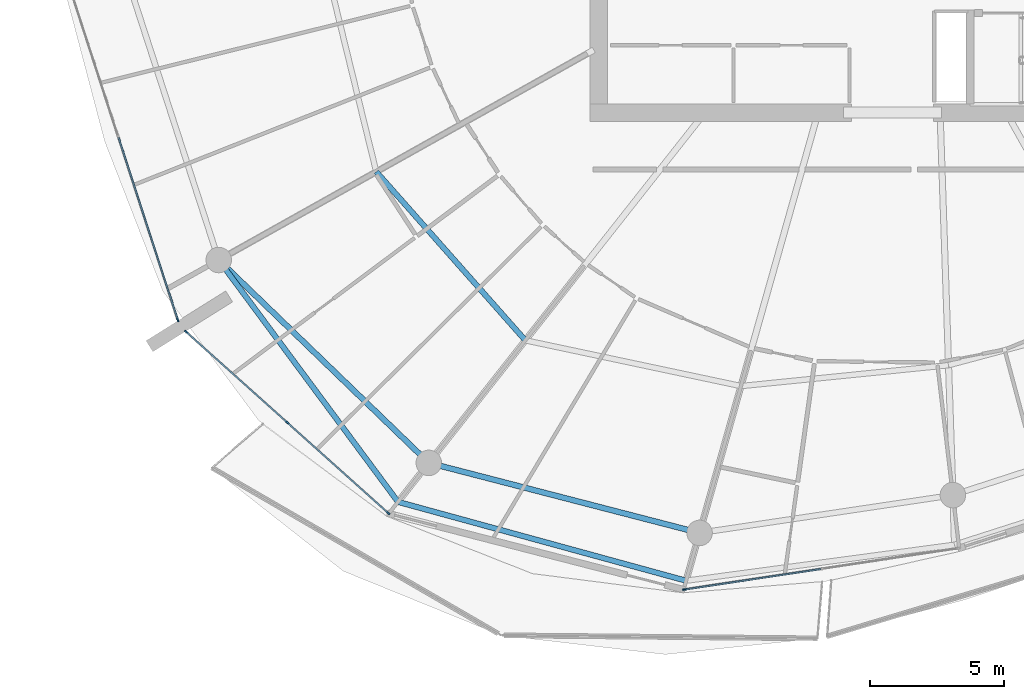
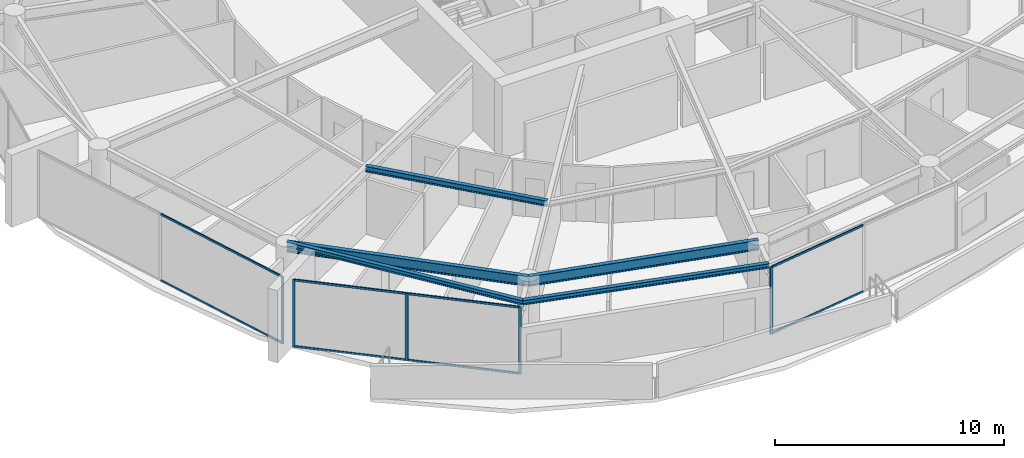
# One storey, part 6 of 30: 13 members, 5 beams, 3 elements without a shape of their own.
"""IFC4 building model written with IfcOpenShell, lengths in metres."""

from ifc_helpers import new_model, si_unit, direction, frame, origin, origin_2d, place, context, subcontext, project, spatial, rectangle, i_section, extrude, material, layer, layer_set, material_profile, profile_set, type_object, element, aggregate, save


model = new_model("IFC4")

# Units and contexts
model_context = context("Model", 3, precision=1e-05, world=origin(), true_north=direction((0.0, 1.0)))
body_context = subcontext(model_context, "Body", "Model", "MODEL_VIEW")
ifc_project = project(units=[si_unit("LENGTHUNIT", "METRE"), si_unit("AREAUNIT", "SQUARE_METRE"), si_unit("VOLUMEUNIT", "CUBIC_METRE"), si_unit("PLANEANGLEUNIT", "RADIAN"), si_unit("MASSUNIT", "GRAM", prefix="KILO")], contexts=[model_context])

# Site, building, storey
site_placement = place(None, origin())
site = spatial("IfcSite", under=ifc_project, at=site_placement, CompositionType="ELEMENT")
building_placement = place(site_placement, origin())
building = spatial("IfcBuilding", under=site, at=building_placement, Name="Kazma Halo Residences", CompositionType="ELEMENT")
storey_placement = place(building_placement, frame((0.0, 0.0, 244.39990234375)))
storey = spatial("IfcBuildingStorey", under=building, at=storey_placement, Name="L61", CompositionType="ELEMENT", Elevation=244.39990234375)

# Beams
ifc_material_1 = material(Name="Steel S355", Category="steel")
ifc_material_profile_1 = material_profile(ifc_material_1, i_section(OverallWidth=0.201904296875, OverallDepth=0.2470703125, WebThickness=0.00732421875, FlangeThickness=0.010986328125, FilletRadius=0.011962890625, at=origin_2d()), Name="W250x49.1")
ifc_profile_set_1 = profile_set([ifc_material_profile_1], Name="Steel S355")
beam_type_1 = type_object("IfcBeamType", Name="BM-BAL-CANT", PredefinedType="BEAM", material=ifc_profile_set_1)
beam_1_placement = place(storey_placement, frame((23.32958984375, 28.18408203125, 3.466552734375), z_axis=(0.595556062515, -0.803313747176, 0.0), x_axis=(0.803313747176, 0.595556062515, 0.0)))
element("IfcBeam", 1, at=beam_1_placement, inside=storey, type_object=beam_type_1, Name="L61 wave-balcony lead tie beam 09", PredefinedType="BEAM", context=body_context, shape_type="SweptSolid", body=[
    extrude(i_section(OverallWidth=0.201904296875, OverallDepth=0.2470703125, WebThickness=0.00732421875, FlangeThickness=0.010986328125, FilletRadius=0.011962890625, at=origin_2d()), origin(), (0.0, 0.0, 1.0), 11.213134765625),
])
beam_2_placement = place(storey_placement, frame((30.007568359375, 19.176513671875, 3.466552734375), z_axis=(0.964514665976, -0.264029277006, 0.0), x_axis=(0.264029277006, 0.964514665976, 0.0)))
element("IfcBeam", 2, at=beam_2_placement, inside=storey, type_object=beam_type_1, Name="L61 wave-balcony tie beam 10", PredefinedType="BEAM", context=body_context, shape_type="SweptSolid", body=[
    extrude(i_section(OverallWidth=0.201904296875, OverallDepth=0.2470703125, WebThickness=0.00732421875, FlangeThickness=0.010986328125, FilletRadius=0.011962890625, at=origin_2d()), origin(), (0.0, 0.0, 1.0), 11.1220703125),
])
ifc_material_profile_2 = material_profile(ifc_material_1, i_section(OverallWidth=0.202880859375, OverallDepth=0.302978515625, WebThickness=0.007568359375, FlangeThickness=0.01318359375, FilletRadius=0.013916015625, at=origin_2d()), Name="W310x60")
ifc_profile_set_2 = profile_set([ifc_material_profile_2], Name="Steel S355")
beam_type_2 = type_object("IfcBeamType", Name="BM-SEC-W310A", PredefinedType="JOIST", material=ifc_profile_set_2)
beam_3_placement = place(storey_placement, frame((29.197265625, 31.469970703125, 3.4384765625), z_axis=(0.662539311942, -0.749027142453, 0.0), x_axis=(0.749027142453, 0.662539311942, 0.0)))
element("IfcBeam", 3, at=beam_3_placement, inside=storey, type_object=beam_type_2, Name="L61 circumferential floor joist 09", PredefinedType="JOIST", context=body_context, shape_type="SweptSolid", body=[
    extrude(i_section(OverallWidth=0.202880859375, OverallDepth=0.302978515625, WebThickness=0.007568359375, FlangeThickness=0.01318359375, FilletRadius=0.013916015625, at=origin_2d()), origin(), (0.0, 0.0, 1.0), 8.381103515625),
])
ifc_material_profile_3 = material_profile(ifc_material_1, i_section(OverallWidth=0.208984375, OverallDepth=0.532958984375, WebThickness=0.01025390625, FlangeThickness=0.015625, FilletRadius=0.01611328125, at=origin_2d()), Name="W530x92")
ifc_profile_set_3 = profile_set([ifc_material_profile_3], Name="Steel S355")
beam_type_3 = type_object("IfcBeamType", Name="BM-SPN-W530", PredefinedType="BEAM", material=ifc_profile_set_3)
beam_4_placement = place(storey_placement, frame((23.32958984375, 28.18408203125, 3.323486328125), z_axis=(0.719345757929, -0.694652201141, 0.0), x_axis=(0.694652201141, 0.719345757929, 0.0)))
element("IfcBeam", 4, at=beam_4_placement, inside=storey, type_object=beam_type_3, Name="L61 perimeter ring beam 09", PredefinedType="BEAM", context=body_context, shape_type="SweptSolid", body=[
    extrude(i_section(OverallWidth=0.208984375, OverallDepth=0.532958984375, WebThickness=0.01025390625, FlangeThickness=0.015625, FilletRadius=0.01611328125, at=origin_2d()), origin(), (0.0, 0.0, 1.0), 10.87548828125),
])
beam_5_placement = place(storey_placement, frame((31.15283203125, 20.62939453125, 3.323486328125), z_axis=(0.968126042852, -0.250463500639, 0.0), x_axis=(0.250463500639, 0.968126042852, 0.0)))
element("IfcBeam", 5, at=beam_5_placement, inside=storey, type_object=beam_type_3, Name="L61 perimeter ring beam 10", PredefinedType="BEAM", context=body_context, shape_type="SweptSolid", body=[
    extrude(i_section(OverallWidth=0.208984375, OverallDepth=0.532958984375, WebThickness=0.01025390625, FlangeThickness=0.015625, FilletRadius=0.01611328125, at=origin_2d()), origin(), (0.0, 0.0, 1.0), 10.416259765625),
])

# Curtain wall, member
ifc_material_2 = material(Name="Aluminium AW-6063 T6 and Triple-Silver Low-E Glass", Category="aluminium")
ifc_layer = layer(ifc_material_2, 0.139892578125)
ifc_layer_set = layer_set([ifc_layer], Name="Aluminium AW-6063 T6 and Triple-Silver Low-E Glass")
curtain_wall_type = type_object("IfcCurtainWallType", Name="CW-SYS-5", PredefinedType="NOTDEFINED", material=ifc_layer_set)
curtain_wall_1_placement = place(storey_placement, origin())
curtain_wall_1 = element("IfcCurtainWall", 6, at=curtain_wall_1_placement, inside=storey, type_object=curtain_wall_type, Name="L61 unitised curtain wall B08", PredefinedType="NOTDEFINED")
ifc_material_3 = material(Name="Aluminium AW-6063 T6", Category="aluminium")
ifc_material_profile_4 = material_profile(ifc_material_3, rectangle(XDim=0.06005859375, YDim=0.139892578125, at=origin_2d()), Name="CWM-60x140")
ifc_profile_set_4 = profile_set([ifc_material_profile_4], Name="Aluminium AW-6063 T6")
member_type_1 = type_object("IfcMemberType", Name="CW-SYS-5-MUL", PredefinedType="MULLION", material=ifc_profile_set_4)
member_1_placement = place(storey_placement, frame((21.8076171875, 25.9521484375, 0.0), z_axis=(0.0, 0.0, 1.0), x_axis=(0.951058464359, 0.309010998786, 0.0)))
member_1 = element("IfcMember", 7, at=member_1_placement, type_object=member_type_1, Name="CWS-5 mullion 3", PredefinedType="MULLION", context=body_context, shape_type="SweptSolid", body=[
    extrude(rectangle(XDim=0.06005859375, YDim=0.139892578125, at=origin_2d()), origin(), (0.0, 0.0, 1.0), 3.590087890625),
])

# Curtain wall, members
curtain_wall_2_placement = place(storey_placement, origin())
curtain_wall_2 = element("IfcCurtainWall", 8, at=curtain_wall_2_placement, inside=storey, type_object=curtain_wall_type, Name="L61 unitised curtain wall B09", PredefinedType="NOTDEFINED")
member_2_placement = place(storey_placement, frame((22.11669921875, 25.508056640625, 0.0), z_axis=(0.0, 0.0, 1.0), x_axis=(0.667804826958, 0.744336424671, 0.0)))
member_2 = element("IfcMember", 9, at=member_2_placement, type_object=member_type_1, Name="CWS-5 mullion 1", PredefinedType="MULLION", context=body_context, shape_type="SweptSolid", body=[
    extrude(rectangle(XDim=0.06005859375, YDim=0.139892578125, at=origin_2d()), origin(), (0.0, 0.0, 1.0), 3.590087890625),
])
member_3_placement = place(storey_placement, frame((25.878173828125, 22.13330078125, 0.0), z_axis=(0.0, 0.0, 1.0), x_axis=(0.667804826958, 0.744336424671, 0.0)))
member_3 = element("IfcMember", 10, at=member_3_placement, type_object=member_type_1, Name="CWS-5 mullion 2", PredefinedType="MULLION", context=body_context, shape_type="SweptSolid", body=[
    extrude(rectangle(XDim=0.06005859375, YDim=0.139892578125, at=origin_2d()), origin(), (0.0, 0.0, 1.0), 3.590087890625),
])
member_4_placement = place(storey_placement, frame((29.6396484375, 18.758544921875, 0.0), z_axis=(0.0, 0.0, 1.0), x_axis=(0.667804826958, 0.744336424671, 0.0)))
member_4 = element("IfcMember", 11, at=member_4_placement, type_object=member_type_1, Name="CWS-5 mullion 3", PredefinedType="MULLION", context=body_context, shape_type="SweptSolid", body=[
    extrude(rectangle(XDim=0.06005859375, YDim=0.139892578125, at=origin_2d()), origin(), (0.0, 0.0, 1.0), 3.590087890625),
])

# Curtain wall, member
curtain_wall_3_placement = place(storey_placement, origin())
curtain_wall_3 = element("IfcCurtainWall", 12, at=curtain_wall_3_placement, inside=storey, type_object=curtain_wall_type, Name="L61 unitised curtain wall B11", PredefinedType="NOTDEFINED")
member_5_placement = place(storey_placement, frame((40.671142578125, 15.912841796875, 0.0), z_axis=(0.0, 0.0, 1.0), x_axis=(-0.148697080374, 0.988882792998, 0.0)))
member_5 = element("IfcMember", 13, at=member_5_placement, type_object=member_type_1, Name="CWS-5 mullion 1", PredefinedType="MULLION", context=body_context, shape_type="SweptSolid", body=[
    extrude(rectangle(XDim=0.06005859375, YDim=0.139892578125, at=origin_2d()), origin(), (0.0, 0.0, 1.0), 3.590087890625),
])

# Member
ifc_material_profile_5 = material_profile(ifc_material_3, rectangle(XDim=0.06005859375, YDim=0.10498046875, at=origin_2d()), Name="CWT-60x105")
ifc_profile_set_5 = profile_set([ifc_material_profile_5], Name="Aluminium AW-6063 T6")
member_type_2 = type_object("IfcMemberType", Name="CW-SYS-5-TRN", PredefinedType="USERDEFINED", material=ifc_profile_set_5)
member_6_placement = place(storey_placement, frame((19.6015625, 32.7412109375, 0.030029296875), z_axis=(0.309027052142, -0.95105324827, 0.0), x_axis=(0.95105324827, 0.309027052142, 0.0)))
member_6 = element("IfcMember", 14, at=member_6_placement, type_object=member_type_2, Name="CWS-5 transom 2.1", ObjectType="TRANSOM", PredefinedType="USERDEFINED", context=body_context, shape_type="SweptSolid", body=[
    extrude(rectangle(XDim=0.06005859375, YDim=0.10498046875, at=origin_2d()), origin(), (0.0, 0.0, 1.0), 7.108642578125),
])

member_7_placement = place(storey_placement, frame((19.6015625, 32.7412109375, 3.56005859375), z_axis=(0.309027052142, -0.95105324827, 0.0), x_axis=(0.95105324827, 0.309027052142, 0.0)))
member_7 = element("IfcMember", 15, at=member_7_placement, type_object=member_type_2, Name="CWS-5 transom 2.2", ObjectType="TRANSOM", PredefinedType="USERDEFINED", context=body_context, shape_type="SweptSolid", body=[
    extrude(rectangle(XDim=0.06005859375, YDim=0.10498046875, at=origin_2d()), origin(), (0.0, 0.0, 1.0), 7.108642578125),
])

aggregate(curtain_wall_1, [member_1, member_6, member_7])

member_8_placement = place(storey_placement, frame((22.138916015625, 25.488037109375, 0.030029296875), z_axis=(0.744328897483, -0.667813216679, 0.0), x_axis=(0.667813216679, 0.744328897483, 0.0)))
member_8 = element("IfcMember", 16, at=member_8_placement, type_object=member_type_2, Name="CWS-5 transom 1.1", ObjectType="TRANSOM", PredefinedType="USERDEFINED", context=body_context, shape_type="SweptSolid", body=[
    extrude(rectangle(XDim=0.06005859375, YDim=0.10498046875, at=origin_2d()), origin(), (0.0, 0.0, 1.0), 4.993408203125),
])

member_9_placement = place(storey_placement, frame((22.138916015625, 25.488037109375, 3.56005859375), z_axis=(0.744328897483, -0.667813216679, 0.0), x_axis=(0.667813216679, 0.744328897483, 0.0)))
member_9 = element("IfcMember", 17, at=member_9_placement, type_object=member_type_2, Name="CWS-5 transom 1.2", ObjectType="TRANSOM", PredefinedType="USERDEFINED", context=body_context, shape_type="SweptSolid", body=[
    extrude(rectangle(XDim=0.06005859375, YDim=0.10498046875, at=origin_2d()), origin(), (0.0, 0.0, 1.0), 4.993408203125),
])

member_10_placement = place(storey_placement, frame((25.900390625, 22.11328125, 0.030029296875), z_axis=(0.744350700793, -0.667788914425, 0.0), x_axis=(0.667788914425, 0.744350700793, 0.0)))
member_10 = element("IfcMember", 18, at=member_10_placement, type_object=member_type_2, Name="CWS-5 transom 2.1", ObjectType="TRANSOM", PredefinedType="USERDEFINED", context=body_context, shape_type="SweptSolid", body=[
    extrude(rectangle(XDim=0.06005859375, YDim=0.10498046875, at=origin_2d()), origin(), (0.0, 0.0, 1.0), 4.99365234375),
])

member_11_placement = place(storey_placement, frame((25.900390625, 22.11328125, 3.56005859375), z_axis=(0.744350700793, -0.667788914425, 0.0), x_axis=(0.667788914425, 0.744350700793, 0.0)))
member_11 = element("IfcMember", 19, at=member_11_placement, type_object=member_type_2, Name="CWS-5 transom 2.2", ObjectType="TRANSOM", PredefinedType="USERDEFINED", context=body_context, shape_type="SweptSolid", body=[
    extrude(rectangle(XDim=0.06005859375, YDim=0.10498046875, at=origin_2d()), origin(), (0.0, 0.0, 1.0), 4.99365234375),
])

aggregate(curtain_wall_2, [member_2, member_3, member_4, member_8, member_9, member_10, member_11])

member_12_placement = place(storey_placement, frame((40.70068359375, 15.917236328125, 0.030029296875), z_axis=(0.988883972013, 0.148689239341, 0.0), x_axis=(-0.148689239341, 0.988883972013, 0.0)))
member_12 = element("IfcMember", 20, at=member_12_placement, type_object=member_type_2, Name="CWS-5 transom 1.1", ObjectType="TRANSOM", PredefinedType="USERDEFINED", context=body_context, shape_type="SweptSolid", body=[
    extrude(rectangle(XDim=0.06005859375, YDim=0.10498046875, at=origin_2d()), origin(), (0.0, 0.0, 1.0), 5.099853515625),
])

member_13_placement = place(storey_placement, frame((40.70068359375, 15.917236328125, 3.56005859375), z_axis=(0.988883972013, 0.148689239341, 0.0), x_axis=(-0.148689239341, 0.988883972013, 0.0)))
member_13 = element("IfcMember", 21, at=member_13_placement, type_object=member_type_2, Name="CWS-5 transom 1.2", ObjectType="TRANSOM", PredefinedType="USERDEFINED", context=body_context, shape_type="SweptSolid", body=[
    extrude(rectangle(XDim=0.06005859375, YDim=0.10498046875, at=origin_2d()), origin(), (0.0, 0.0, 1.0), 5.099853515625),
])

aggregate(curtain_wall_3, [member_5, member_12, member_13])

save(model, "model.ifc")
